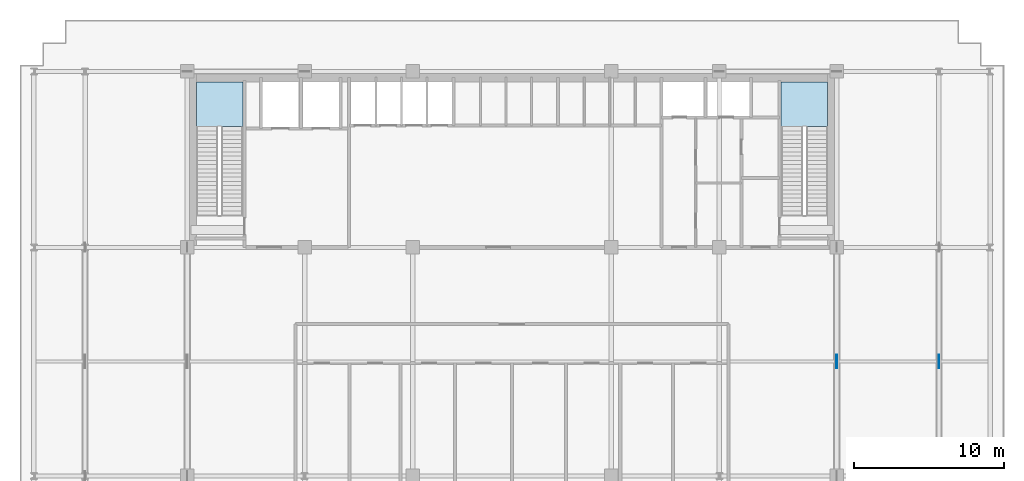
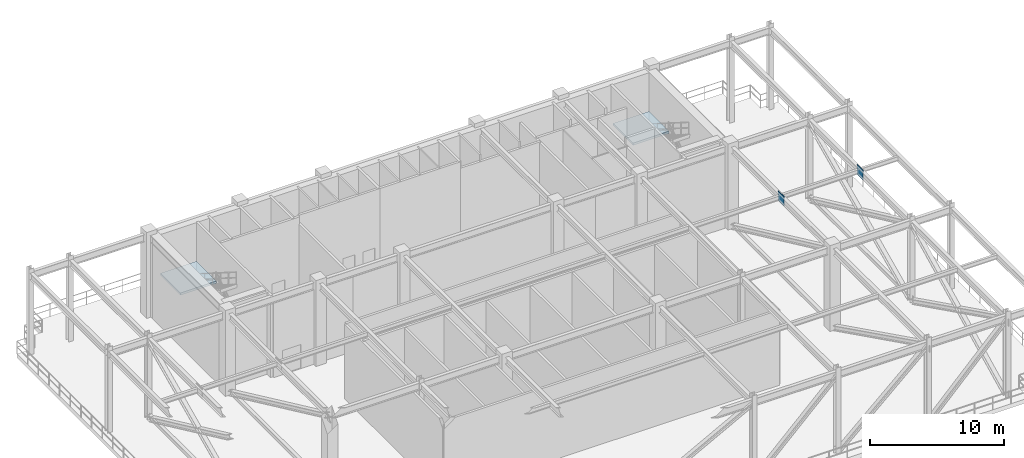
# One storey, part 7 of 16: 2 plates, 2 slabs, 2 elements without a shape of their own.
"""IFC4 building model written with IfcOpenShell, lengths in metres."""

from ifc_helpers import new_model, si_unit, direction, frame, origin, origin_2d, place, context, subcontext, project, spatial, polyline, rectangle, outline, extrude, source, transform, mapped, material, layer, layer_set, type_object, element, aggregate, save


model = new_model("IFC4")

# Units and contexts
model_context = context("Model", 3, precision=1e-05, world=origin(), true_north=direction((0.0, 1.0)))
body_context = subcontext(model_context, "Body", "Model", "MODEL_VIEW")
ifc_project = project(units=[si_unit("LENGTHUNIT", "METRE"), si_unit("AREAUNIT", "SQUARE_METRE"), si_unit("VOLUMEUNIT", "CUBIC_METRE"), si_unit("PLANEANGLEUNIT", "RADIAN"), si_unit("MASSUNIT", "GRAM", prefix="KILO")], contexts=[model_context])

# Site, building, storey
site_placement = place(None, origin())
site = spatial("IfcSite", under=ifc_project, at=site_placement, CompositionType="ELEMENT")
building_placement = place(site_placement, origin())
building = spatial("IfcBuilding", under=site, at=building_placement, Name="Trelvane Seafront Commons", CompositionType="ELEMENT")
storey_placement = place(building_placement, frame((0.0, 0.0, 73.89990234375)))
storey = spatial("IfcBuildingStorey", under=building, at=storey_placement, Name="L19", CompositionType="ELEMENT", Elevation=73.89990234375)

# Stair, slab
ifc_material_1 = material(Name="Concrete C40/50", Category="concrete")
stair_type_1 = type_object("IfcStairType", Name="ARCH-STR-ST-1-R44-177", PredefinedType="HALF_TURN_STAIR", material=ifc_material_1)
stair_1_placement = place(storey_placement, origin())
stair_1 = element("IfcStair", 1, at=stair_1_placement, inside=storey, type_object=stair_type_1, Name="L19 West Protected Firefighting Exit Stair ST-1", PredefinedType="HALF_TURN_STAIR")
ifc_layer_1 = layer(ifc_material_1, 0.199951171875, Name="ARCH-LND-200")
ifc_layer_set_1 = layer_set([ifc_layer_1], Name="Concrete C40/50")
slab_type = type_object("IfcSlabType", Name="ARCH-LND-200", PredefinedType="LANDING", material=ifc_layer_set_1)
slab_1_placement = place(storey_placement, frame((0.0, 0.0, 3.7001953125)))
slab_1 = element("IfcSlab", 2, at=slab_1_placement, type_object=slab_type, Name="ST-1 landing 1", PredefinedType="LANDING", context=body_context, shape_type="SweptSolid", body=[
    extrude(outline(polyline([(19.300048828125, 41.429931640625), (19.300048828125, 44.39990234375), (16.199951171875, 44.39990234375), (16.199951171875, 41.429931640625), (19.300048828125, 41.429931640625)])), origin(), (0.0, 0.0, 1.0), 0.199951171875),
])
aggregate(stair_1, [slab_1])

stair_type_2 = type_object("IfcStairType", Name="ARCH-STR-ST-2-R44-177", PredefinedType="HALF_TURN_STAIR", material=ifc_material_1)
stair_2_placement = place(storey_placement, origin())
stair_2 = element("IfcStair", 3, at=stair_2_placement, inside=storey, type_object=stair_type_2, Name="L19 East Protected Firefighting Exit Stair ST-2", PredefinedType="HALF_TURN_STAIR")
slab_2_placement = place(storey_placement, frame((0.0, 0.0, 3.7001953125)))
slab_2 = element("IfcSlab", 4, at=slab_2_placement, type_object=slab_type, Name="ST-2 landing 1", PredefinedType="LANDING", context=body_context, shape_type="SweptSolid", body=[
    extrude(outline(polyline([(58.199951171875, 41.429931640625), (58.199951171875, 44.39990234375), (55.10009765625, 44.39990234375), (55.10009765625, 41.429931640625), (58.199951171875, 41.429931640625)])), origin(), (0.0, 0.0, 1.0), 0.199951171875),
])
aggregate(stair_2, [slab_2])

# Plates
ifc_material_2 = material(Name="Steel SM355 (S355)", Category="steel")
ifc_layer_2 = layer(ifc_material_2, 0.035888671875, Name="STR-PLT-GUS1")
ifc_layer_set_2 = layer_set([ifc_layer_2], Name="Steel SM355 (S355)")
plate_type = type_object("IfcPlateType", Name="STR-PLT-GUS1", PredefinedType="SHEET", material=ifc_layer_set_2)
shared_shape = source(origin(), body_context, "Body", "SweptSolid", [
    extrude(rectangle(XDim=0.035888671875, YDim=0.89990234375, at=origin_2d()), origin(), (0.0, 0.0, 1.0), 0.89990234375),
])
for number, where, z_axis, x_axis, name in (
    (5, (58.800048828125, 25.800048828125, 6.6201171875), (0.0, 0.0, 1.0), (1.0, 0.0, 0.0), "L19 Outrigger Gusset Plate ON1-3"),
    (6, (65.60009765625, 25.800048828125, 6.6201171875), (0.0, 0.0, 1.0), (1.0, 0.0, 0.0), "L19 Outrigger Gusset Plate ON1-4"),
):
    element("IfcPlate", number, at=place(storey_placement, frame(where, z_axis=z_axis, x_axis=x_axis)), inside=storey, type_object=plate_type, Name=name, PredefinedType="SHEET", context=body_context, shape_type="MappedRepresentation", body=[
        mapped(shared_shape, transform((0.0, 0.0, 0.0), x_axis=(1.0, 0.0, 0.0), y_axis=(0.0, 1.0, 0.0), z_axis=(0.0, 0.0, 1.0), scale=1.0)),
    ])

save(model, "model.ifc")
